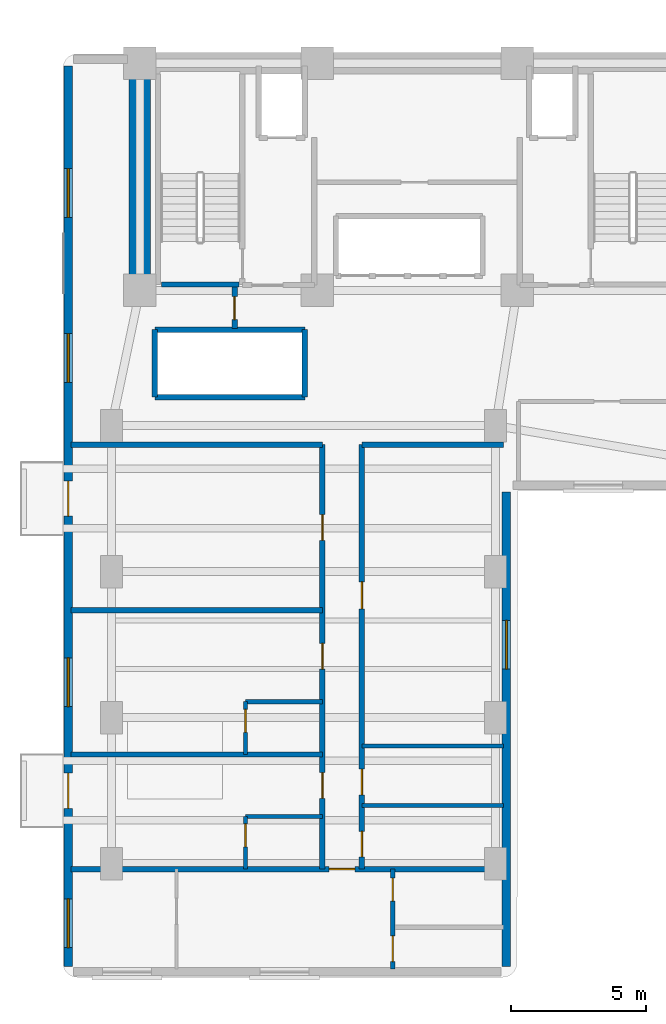
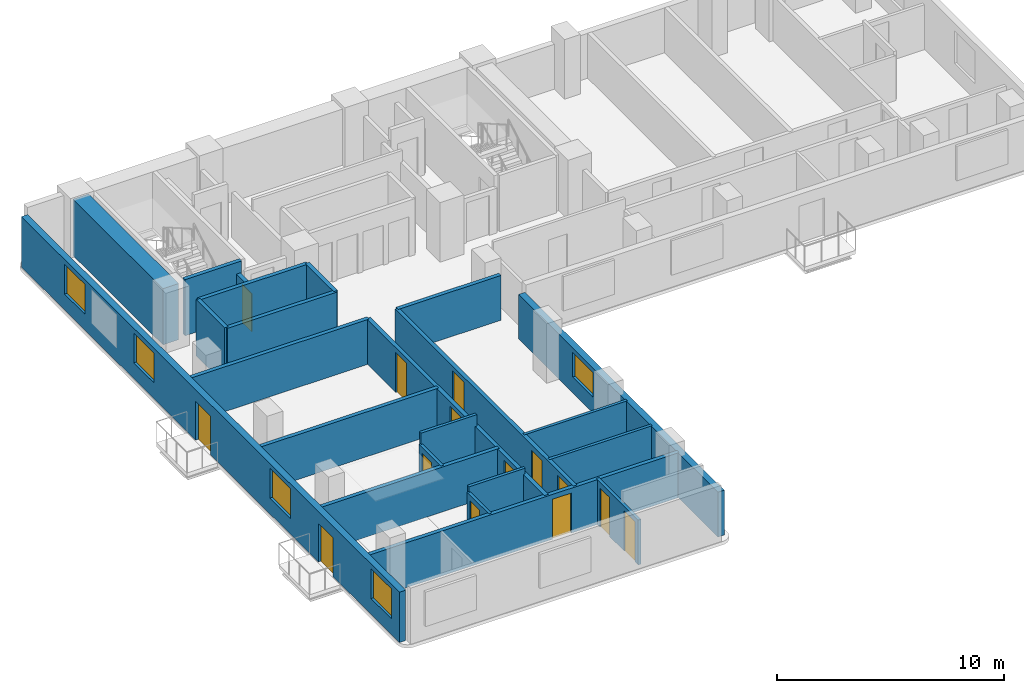
# One storey, part 3 of 9: 23 walls, 14 doors, 5 windows, 19 openings.
"""IFC4 building model written with IfcOpenShell, lengths in metres."""

from ifc_helpers import new_model, si_unit, direction, frame, frame_2d, origin, place, context, subcontext, project, spatial, rectangle, extrude, material, layer, layer_set, type_object, element, fill, save


model = new_model("IFC4")

# Units and contexts
model_context = context("Model", 3, precision=1e-05, world=origin(), true_north=direction((0.0, 1.0)))
body_context = subcontext(model_context, "Body", "Model", "MODEL_VIEW")
ifc_project = project(units=[si_unit("LENGTHUNIT", "METRE"), si_unit("AREAUNIT", "SQUARE_METRE"), si_unit("VOLUMEUNIT", "CUBIC_METRE"), si_unit("PLANEANGLEUNIT", "RADIAN"), si_unit("MASSUNIT", "GRAM", prefix="KILO")], contexts=[model_context])

# Site, building, storey
site_placement = place(None, origin())
site = spatial("IfcSite", under=ifc_project, at=site_placement, CompositionType="ELEMENT")
building_placement = place(site_placement, origin())
building = spatial("IfcBuilding", under=site, at=building_placement, Name="Kuzgunbayir Cultural Tower", CompositionType="ELEMENT")
storey_placement = place(building_placement, frame((0.0, 0.0, 96.199951171875)))
storey = spatial("IfcBuildingStorey", under=building, at=storey_placement, Name="L27", CompositionType="ELEMENT", Elevation=96.199951171875)

# Wall
ifc_material_1 = material(Name="Concrete C60/75", Category="concrete")
ifc_layer_1 = layer(ifc_material_1, 0.800048828125)
ifc_layer_set_1 = layer_set([ifc_layer_1], Name="Concrete C60/75")
wall_type_1 = type_object("IfcWallType", Name="WAL-CORE-800", PredefinedType="SHEAR", material=ifc_layer_set_1)
wall_1_placement = place(storey_placement, frame((6.449951171875, 33.800048828125, 0.0), z_axis=(0.0, 0.0, 1.0), x_axis=(0.0, 1.0, 0.0)))
element("IfcWall", 1, at=wall_1_placement, inside=storey, type_object=wall_type_1, Name="L27 T1 Core West Shear Wall", PredefinedType="SHEAR", context=body_context, shape_type="SweptSolid", body=[
    extrude(rectangle(XDim=7.949951171875, YDim=0.800048828125, at=frame_2d((3.97509765625, 0.0))), origin(), (0.0, 0.0, 1.0), 3.02001953125),
])

# Wall, openings, doors, windows
ifc_material_2 = material(Name="Travertine Buff Ashlar", Category="masonry")
ifc_layer_2 = layer(ifc_material_2, 0.320068359375)
ifc_layer_set_2 = layer_set([ifc_layer_2], Name="Travertine Buff Ashlar")
wall_type_2 = type_object("IfcWallType", Name="WAL-EXT-STONE-320", PredefinedType="STANDARD", material=ifc_layer_set_2)
wall_2_placement = place(storey_placement, frame((3.800048828125, 42.10009765625, 0.0), z_axis=(0.0, 0.0, 1.0), x_axis=(0.0, -1.0, 0.0)))
wall_2 = element("IfcWall", 2, at=wall_2_placement, inside=storey, type_object=wall_type_2, Name="L27 Wing A West Limestone Wall", PredefinedType="STANDARD", context=body_context, shape_type="SweptSolid", body=[
    extrude(rectangle(XDim=33.300048828125, YDim=0.320068359375, at=frame_2d((16.64990234375, 0.0))), origin(), (0.0, 0.0, 1.0), 2.7099609375),
])
opening_1_placement = place(wall_2_placement, frame((26.14990234375, 0.0, 0.0)))
opening_1 = element("IfcOpeningElement", 3, at=opening_1_placement, cuts=wall_2, Name="Opening BD-13", PredefinedType="OPENING", context=body_context, shape_type="SweptSolid", body=[
    extrude(rectangle(XDim=1.300048828125, YDim=2.080078125, at=frame_2d((0.64990234375, 1.0400390625))), frame((0.0, 0.169921875, 0.0), z_axis=(0.0, -1.0, 0.0), x_axis=(1.0, 0.0, 0.0)), (0.0, 0.0, 1.0), 0.340087890625),
])
opening_2_placement = place(wall_2_placement, frame((15.35009765625, 0.0, 0.0)))
opening_2 = element("IfcOpeningElement", 4, at=opening_2_placement, cuts=wall_2, Name="Opening BD-13", PredefinedType="OPENING", context=body_context, shape_type="SweptSolid", body=[
    extrude(rectangle(XDim=1.300048828125, YDim=2.080078125, at=frame_2d((0.64990234375, 1.0400390625))), frame((0.0, 0.169921875, 0.0), z_axis=(0.0, -1.0, 0.0), x_axis=(1.0, 0.0, 0.0)), (0.0, 0.0, 1.0), 0.340087890625),
])
opening_3_placement = place(wall_2_placement, frame((21.889892578125, 0.0, 0.85009765625)))
opening_3 = element("IfcOpeningElement", 5, at=opening_3_placement, cuts=wall_2, Name="Opening WH-18", PredefinedType="OPENING", context=body_context, shape_type="SweptSolid", body=[
    extrude(rectangle(XDim=1.800048828125, YDim=1.610107421875, at=frame_2d((0.89990234375, 0.80517578125))), frame((0.0, 0.169921875, 0.0), z_axis=(0.0, -1.0, 0.0), x_axis=(1.0, 0.0, 0.0)), (0.0, 0.0, 1.0), 0.340087890625),
])
opening_4_placement = place(wall_2_placement, frame((30.800048828125, 0.0, 0.85009765625)))
opening_4 = element("IfcOpeningElement", 6, at=opening_4_placement, cuts=wall_2, Name="Opening WH-18", PredefinedType="OPENING", context=body_context, shape_type="SweptSolid", body=[
    extrude(rectangle(XDim=1.800048828125, YDim=1.610107421875, at=frame_2d((0.89990234375, 0.80517578125))), frame((0.0, 0.169921875, 0.0), z_axis=(0.0, -1.0, 0.0), x_axis=(1.0, 0.0, 0.0)), (0.0, 0.0, 1.0), 0.340087890625),
])
opening_5_placement = place(wall_2_placement, frame((9.89990234375, 0.0, 0.85009765625)))
opening_5 = element("IfcOpeningElement", 7, at=opening_5_placement, cuts=wall_2, Name="Opening WH-18", PredefinedType="OPENING", context=body_context, shape_type="SweptSolid", body=[
    extrude(rectangle(XDim=1.800048828125, YDim=1.610107421875, at=frame_2d((0.89990234375, 0.80517578125))), frame((0.0, 0.169921875, 0.0), z_axis=(0.0, -1.0, 0.0), x_axis=(1.0, 0.0, 0.0)), (0.0, 0.0, 1.0), 0.340087890625),
])
opening_6_placement = place(wall_2_placement, frame((3.800048828125, 0.0, 0.85009765625)))
opening_6 = element("IfcOpeningElement", 8, at=opening_6_placement, cuts=wall_2, Name="Opening WH-18", PredefinedType="OPENING", context=body_context, shape_type="SweptSolid", body=[
    extrude(rectangle(XDim=1.800048828125, YDim=1.610107421875, at=frame_2d((0.89990234375, 0.80517578125))), frame((0.0, 0.169921875, 0.0), z_axis=(0.0, -1.0, 0.0), x_axis=(1.0, 0.0, 0.0)), (0.0, 0.0, 1.0), 0.340087890625),
])
ifc_material_3 = material(Name="Thermally Broken Glazed Aluminium", Category="aluminium")
door_type_1 = type_object("IfcDoorType", Name="DR-BALCONY-135", OperationType="SLIDING_TO_LEFT", PredefinedType="DOOR", material=ifc_material_3)
door_1_placement = place(opening_1_placement, origin())
door_1 = element("IfcDoor", 9, at=door_1_placement, inside=storey, type_object=door_type_1, Name="L27 West Balcony Sliding Door BAL-L27-WA1", OperationType="SLIDING_TO_LEFT", OverallHeight=2.080078125, OverallWidth=1.300048828125, PredefinedType="DOOR", context=body_context, shape_type="SweptSolid", body=[
    extrude(rectangle(XDim=1.300048828125, YDim=2.080078125, at=frame_2d((0.64990234375, 1.0400390625))), frame((0.0, 0.02490234375, 0.0), z_axis=(0.0, -1.0, 0.0), x_axis=(1.0, 0.0, 0.0)), (0.0, 0.0, 1.0), 0.050048828125),
])
fill(opening_1, door_1)
door_2_placement = place(opening_2_placement, origin())
door_2 = element("IfcDoor", 10, at=door_2_placement, inside=storey, type_object=door_type_1, Name="L27 West Balcony Sliding Door BAL-L27-WA3", OperationType="SLIDING_TO_LEFT", OverallHeight=2.080078125, OverallWidth=1.300048828125, PredefinedType="DOOR", context=body_context, shape_type="SweptSolid", body=[
    extrude(rectangle(XDim=1.300048828125, YDim=2.080078125, at=frame_2d((0.64990234375, 1.0400390625))), frame((0.0, 0.02490234375, 0.0), z_axis=(0.0, -1.0, 0.0), x_axis=(1.0, 0.0, 0.0)), (0.0, 0.0, 1.0), 0.050048828125),
])
fill(opening_2, door_2)
ifc_material_4 = material(Name="Solar-Control Triple Glazing", Category="glass")
window_type = type_object("IfcWindowType", Name="WIN-HOTEL-18", PartitioningType="SINGLE_PANEL", PredefinedType="WINDOW", material=ifc_material_4)
window_1_placement = place(opening_3_placement, origin())
window_1 = element("IfcWindow", 11, at=window_1_placement, inside=storey, type_object=window_type, Name="L27 WAW Facade Window 1", OverallHeight=1.610107421875, OverallWidth=1.800048828125, PartitioningType="SINGLE_PANEL", PredefinedType="WINDOW", context=body_context, shape_type="SweptSolid", body=[
    extrude(rectangle(XDim=1.800048828125, YDim=1.610107421875, at=frame_2d((0.89990234375, 0.80517578125))), frame((0.0, 0.030029296875, 0.0), z_axis=(0.0, -1.0, 0.0), x_axis=(1.0, 0.0, 0.0)), (0.0, 0.0, 1.0), 0.06005859375),
])
fill(opening_3, window_1)
window_2_placement = place(opening_4_placement, origin())
window_2 = element("IfcWindow", 12, at=window_2_placement, inside=storey, type_object=window_type, Name="L27 WAW Facade Window 6", OverallHeight=1.610107421875, OverallWidth=1.800048828125, PartitioningType="SINGLE_PANEL", PredefinedType="WINDOW", context=body_context, shape_type="SweptSolid", body=[
    extrude(rectangle(XDim=1.800048828125, YDim=1.610107421875, at=frame_2d((0.89990234375, 0.80517578125))), frame((0.0, 0.030029296875, 0.0), z_axis=(0.0, -1.0, 0.0), x_axis=(1.0, 0.0, 0.0)), (0.0, 0.0, 1.0), 0.06005859375),
])
fill(opening_4, window_2)
window_3_placement = place(opening_5_placement, origin())
window_3 = element("IfcWindow", 13, at=window_3_placement, inside=storey, type_object=window_type, Name="L27 WAW Facade Window 7", OverallHeight=1.610107421875, OverallWidth=1.800048828125, PartitioningType="SINGLE_PANEL", PredefinedType="WINDOW", context=body_context, shape_type="SweptSolid", body=[
    extrude(rectangle(XDim=1.800048828125, YDim=1.610107421875, at=frame_2d((0.89990234375, 0.80517578125))), frame((0.0, 0.030029296875, 0.0), z_axis=(0.0, -1.0, 0.0), x_axis=(1.0, 0.0, 0.0)), (0.0, 0.0, 1.0), 0.06005859375),
])
fill(opening_5, window_3)
window_4_placement = place(opening_6_placement, origin())
window_4 = element("IfcWindow", 14, at=window_4_placement, inside=storey, type_object=window_type, Name="L27 WAW Facade Window 8", OverallHeight=1.610107421875, OverallWidth=1.800048828125, PartitioningType="SINGLE_PANEL", PredefinedType="WINDOW", context=body_context, shape_type="SweptSolid", body=[
    extrude(rectangle(XDim=1.800048828125, YDim=1.610107421875, at=frame_2d((0.89990234375, 0.80517578125))), frame((0.0, 0.030029296875, 0.0), z_axis=(0.0, -1.0, 0.0), x_axis=(1.0, 0.0, 0.0)), (0.0, 0.0, 1.0), 0.06005859375),
])
fill(opening_6, window_4)

# Wall, opening, window
wall_3_placement = place(storey_placement, frame((20.0, 8.800048828125, 0.0), z_axis=(0.0, 0.0, 1.0), x_axis=(0.0, 1.0, 0.0)))
wall_3 = element("IfcWall", 15, at=wall_3_placement, inside=storey, type_object=wall_type_2, Name="L27 Wing A East Limestone Wall", PredefinedType="STANDARD", context=body_context, shape_type="SweptSolid", body=[
    extrude(rectangle(XDim=17.550048828125, YDim=0.320068359375, at=frame_2d((8.77490234375, 0.0))), origin(), (0.0, 0.0, 1.0), 2.41015625),
])
opening_7_placement = place(wall_3_placement, frame((11.0, 0.0, 0.85009765625)))
opening_7 = element("IfcOpeningElement", 16, at=opening_7_placement, cuts=wall_3, Name="Opening WH-18", PredefinedType="OPENING", context=body_context, shape_type="SweptSolid", body=[
    extrude(rectangle(XDim=1.800048828125, YDim=1.31005859375, at=frame_2d((0.89990234375, 0.655029296875))), frame((0.0, 0.169921875, 0.0), z_axis=(0.0, -1.0, 0.0), x_axis=(1.0, 0.0, 0.0)), (0.0, 0.0, 1.0), 0.340087890625),
])
window_5_placement = place(opening_7_placement, origin())
window_5 = element("IfcWindow", 17, at=window_5_placement, inside=storey, type_object=window_type, Name="L27 WAE Facade Window 9", OverallHeight=1.31005859375, OverallWidth=1.800048828125, PartitioningType="SINGLE_PANEL", PredefinedType="WINDOW", context=body_context, shape_type="SweptSolid", body=[
    extrude(rectangle(XDim=1.800048828125, YDim=1.31005859375, at=frame_2d((0.89990234375, 0.655029296875))), frame((0.0, 0.030029296875, 0.0), z_axis=(0.0, -1.0, 0.0), x_axis=(1.0, 0.0, 0.0)), (0.0, 0.0, 1.0), 0.06005859375),
])
fill(opening_7, window_5)

# Wall
ifc_material_5 = material(Name="Acoustic Double-Stud Drywall", Category="gypsum")
ifc_layer_3 = layer(ifc_material_5, 0.14990234375)
ifc_layer_set_3 = layer_set([ifc_layer_3], Name="Acoustic Double-Stud Drywall")
wall_type_3 = type_object("IfcWallType", Name="WAL-PART-ACOUSTIC-150", PredefinedType="PARTITIONING", material=ifc_layer_set_3)
wall_4_placement = place(storey_placement, frame((14.659912109375, 14.75, 0.0), z_axis=(0.0, 0.0, 1.0), x_axis=(1.0, 0.0, 0.0)))
element("IfcWall", 18, at=wall_4_placement, inside=storey, type_object=wall_type_3, Name="L27 Housekeeping North Wall", PredefinedType="PARTITIONING", context=body_context, shape_type="SweptSolid", body=[
    extrude(rectangle(XDim=5.239990234375, YDim=0.14990234375, at=frame_2d((2.6201171875, 0.0))), origin(), (0.0, 0.0, 1.0), 2.41015625),
])

# Wall, opening, door
ifc_material_6 = material(Name="Aerated Concrete Blockwork", Category="masonry")
ifc_layer_4 = layer(ifc_material_6, 0.199951171875)
ifc_layer_set_4 = layer_set([ifc_layer_4], Name="Aerated Concrete Blockwork")
wall_type_4 = type_object("IfcWallType", Name="WAL-PART-FIRE-200", PredefinedType="PARTITIONING", material=ifc_layer_set_4)
wall_5_placement = place(storey_placement, frame((9.949951171875, 32.39990234375, 0.0), z_axis=(0.0, 0.0, 1.0), x_axis=(0.0, 1.0, 0.0)))
wall_5 = element("IfcWall", 19, at=wall_5_placement, inside=storey, type_object=wall_type_4, Name="L27 West Core Service Closet Wall", PredefinedType="PARTITIONING", context=body_context, shape_type="SweptSolid", body=[
    extrude(rectangle(XDim=1.52001953125, YDim=0.199951171875, at=frame_2d((0.760009765625, 0.0))), origin(), (0.0, 0.0, 1.0), 2.41015625),
])
opening_8_placement = place(wall_5_placement, frame((0.320068359375, 0.0, 0.0)))
opening_8 = element("IfcOpeningElement", 20, at=opening_8_placement, cuts=wall_5, Name="Opening DR-RSR-60", PredefinedType="OPENING", context=body_context, shape_type="SweptSolid", body=[
    extrude(rectangle(XDim=0.85009765625, YDim=2.050048828125, at=frame_2d((0.425048828125, 1.02490234375))), frame((0.0, 0.10986328125, 0.0), z_axis=(0.0, -1.0, 0.0), x_axis=(1.0, 0.0, 0.0)), (0.0, 0.0, 1.0), 0.219970703125),
])
ifc_material_7 = material(Name="Steel Access Leaf", Category="steel")
door_type_2 = type_object("IfcDoorType", Name="DR-RISER-60", OperationType="NOTDEFINED", PredefinedType="DOOR", material=ifc_material_7)
door_3_placement = place(opening_8_placement, origin())
door_3 = element("IfcDoor", 21, at=door_3_placement, inside=storey, type_object=door_type_2, Name="L27 Cleaner Utility Store Door", OperationType="SINGLE_SWING_RIGHT", OverallHeight=2.050048828125, OverallWidth=0.85009765625, PredefinedType="DOOR", context=body_context, shape_type="SweptSolid", body=[
    extrude(rectangle(XDim=0.85009765625, YDim=2.050048828125, at=frame_2d((0.425048828125, 1.02490234375))), frame((0.0, 0.02490234375, 0.0), z_axis=(0.0, -1.0, 0.0), x_axis=(1.0, 0.0, 0.0)), (0.0, 0.0, 1.0), 0.050048828125),
])
fill(opening_8, door_3)

# Wall, openings, doors
wall_6_placement = place(storey_placement, frame((13.199951171875, 12.39990234375, 0.0), z_axis=(0.0, 0.0, 1.0), x_axis=(0.0, 1.0, 0.0)))
wall_6 = element("IfcWall", 22, at=wall_6_placement, inside=storey, type_object=wall_type_4, Name="L27 Wing A West Corridor Wall", PredefinedType="PARTITIONING", context=body_context, shape_type="SweptSolid", body=[
    extrude(rectangle(XDim=15.7001953125, YDim=0.199951171875, at=frame_2d((7.85009765625, 0.0))), origin(), (0.0, 0.0, 1.0), 2.41015625),
])
opening_9_placement = place(wall_6_placement, frame((2.6201171875, 0.0, 0.0)))
opening_9 = element("IfcOpeningElement", 23, at=opening_9_placement, cuts=wall_6, Name="Opening DR-APT-60", PredefinedType="OPENING", context=body_context, shape_type="SweptSolid", body=[
    extrude(rectangle(XDim=0.949951171875, YDim=2.14990234375, at=frame_2d((0.47509765625, 1.074951171875))), frame((0.0, 0.10986328125, 0.0), z_axis=(0.0, -1.0, 0.0), x_axis=(1.0, 0.0, 0.0)), (0.0, 0.0, 1.0), 0.219970703125),
])
opening_10_placement = place(wall_6_placement, frame((7.39990234375, 0.0, 0.0)))
opening_10 = element("IfcOpeningElement", 24, at=opening_10_placement, cuts=wall_6, Name="Opening DR-APT-60", PredefinedType="OPENING", context=body_context, shape_type="SweptSolid", body=[
    extrude(rectangle(XDim=0.949951171875, YDim=2.14990234375, at=frame_2d((0.47509765625, 1.074951171875))), frame((0.0, 0.10986328125, 0.0), z_axis=(0.0, -1.0, 0.0), x_axis=(1.0, 0.0, 0.0)), (0.0, 0.0, 1.0), 0.219970703125),
])
opening_11_placement = place(wall_6_placement, frame((12.159912109375, 0.0, 0.0)))
opening_11 = element("IfcOpeningElement", 25, at=opening_11_placement, cuts=wall_6, Name="Opening DI-90", PredefinedType="OPENING", context=body_context, shape_type="SweptSolid", body=[
    extrude(rectangle(XDim=0.949951171875, YDim=2.14990234375, at=frame_2d((0.47509765625, 1.074951171875))), frame((0.0, 0.10986328125, 0.0), z_axis=(0.0, -1.0, 0.0), x_axis=(1.0, 0.0, 0.0)), (0.0, 0.0, 1.0), 0.219970703125),
])
ifc_material_8 = material(Name="Acoustic Fire Timber Leaf", Category="wood")
door_type_3 = type_object("IfcDoorType", Name="DR-APT-60", OperationType="NOTDEFINED", PredefinedType="DOOR", material=ifc_material_8)
door_4_placement = place(opening_9_placement, origin())
door_4 = element("IfcDoor", 26, at=door_4_placement, inside=storey, type_object=door_type_3, Name="L27 Guest Suite W1 Entrance", OperationType="SINGLE_SWING_RIGHT", OverallHeight=2.14990234375, OverallWidth=0.949951171875, PredefinedType="DOOR", context=body_context, shape_type="SweptSolid", body=[
    extrude(rectangle(XDim=0.949951171875, YDim=2.14990234375, at=frame_2d((0.47509765625, 1.074951171875))), frame((0.0, 0.02490234375, 0.0), z_axis=(0.0, -1.0, 0.0), x_axis=(1.0, 0.0, 0.0)), (0.0, 0.0, 1.0), 0.050048828125),
])
fill(opening_9, door_4)
door_5_placement = place(opening_10_placement, origin())
door_5 = element("IfcDoor", 27, at=door_5_placement, inside=storey, type_object=door_type_3, Name="L27 Guest Suite W2 Entrance", OperationType="SINGLE_SWING_RIGHT", OverallHeight=2.14990234375, OverallWidth=0.949951171875, PredefinedType="DOOR", context=body_context, shape_type="SweptSolid", body=[
    extrude(rectangle(XDim=0.949951171875, YDim=2.14990234375, at=frame_2d((0.47509765625, 1.074951171875))), frame((0.0, 0.02490234375, 0.0), z_axis=(0.0, -1.0, 0.0), x_axis=(1.0, 0.0, 0.0)), (0.0, 0.0, 1.0), 0.050048828125),
])
fill(opening_10, door_5)
ifc_material_9 = material(Name="Veneered Oak Single Leaf", Category="wood")
door_type_4 = type_object("IfcDoorType", Name="DR-INT-90", OperationType="NOTDEFINED", PredefinedType="DOOR", material=ifc_material_9)
door_6_placement = place(opening_11_placement, origin())
door_6 = element("IfcDoor", 28, at=door_6_placement, inside=storey, type_object=door_type_4, Name="L27 Art Publication Salon 3 Door", OperationType="SINGLE_SWING_LEFT", OverallHeight=2.14990234375, OverallWidth=0.949951171875, PredefinedType="DOOR", context=body_context, shape_type="SweptSolid", body=[
    extrude(rectangle(XDim=0.949951171875, YDim=2.14990234375, at=frame_2d((0.47509765625, 1.074951171875))), frame((0.0, 0.02490234375, 0.0), z_axis=(0.0, -1.0, 0.0), x_axis=(1.0, 0.0, 0.0)), (0.0, 0.0, 1.0), 0.050048828125),
])
fill(opening_11, door_6)

wall_7_placement = place(storey_placement, frame((14.659912109375, 12.39990234375, 0.0), z_axis=(0.0, 0.0, 1.0), x_axis=(0.0, 1.0, 0.0)))
wall_7 = element("IfcWall", 29, at=wall_7_placement, inside=storey, type_object=wall_type_4, Name="L27 Wing A East Corridor Wall", PredefinedType="PARTITIONING", context=body_context, shape_type="SweptSolid", body=[
    extrude(rectangle(XDim=15.7001953125, YDim=0.199951171875, at=frame_2d((7.85009765625, 0.0))), origin(), (0.0, 0.0, 1.0), 2.41015625),
])
opening_12_placement = place(wall_7_placement, frame((0.449951171875, 0.0, 0.0)))
opening_12 = element("IfcOpeningElement", 30, at=opening_12_placement, cuts=wall_7, Name="Opening DI-90", PredefinedType="OPENING", context=body_context, shape_type="SweptSolid", body=[
    extrude(rectangle(XDim=0.949951171875, YDim=2.14990234375, at=frame_2d((0.47509765625, 1.074951171875))), frame((0.0, 0.10986328125, 0.0), z_axis=(0.0, -1.0, 0.0), x_axis=(1.0, 0.0, 0.0)), (0.0, 0.0, 1.0), 0.219970703125),
])
opening_13_placement = place(wall_7_placement, frame((2.75, 0.0, 0.0)))
opening_13 = element("IfcOpeningElement", 31, at=opening_13_placement, cuts=wall_7, Name="Opening DW-95", PredefinedType="OPENING", context=body_context, shape_type="SweptSolid", body=[
    extrude(rectangle(XDim=0.949951171875, YDim=2.10009765625, at=frame_2d((0.47509765625, 1.050048828125))), frame((0.0, 0.10986328125, 0.0), z_axis=(0.0, -1.0, 0.0), x_axis=(1.0, 0.0, 0.0)), (0.0, 0.0, 1.0), 0.219970703125),
])
opening_14_placement = place(wall_7_placement, frame((9.6201171875, 0.0, 0.0)))
opening_14 = element("IfcOpeningElement", 32, at=opening_14_placement, cuts=wall_7, Name="Opening DI-100", PredefinedType="OPENING", context=body_context, shape_type="SweptSolid", body=[
    extrude(rectangle(XDim=1.0, YDim=2.14990234375, at=frame_2d((0.5, 1.074951171875))), frame((0.0, 0.10986328125, 0.0), z_axis=(0.0, -1.0, 0.0), x_axis=(1.0, 0.0, 0.0)), (0.0, 0.0, 1.0), 0.219970703125),
])
door_type_5 = type_object("IfcDoorType", Name="DR-INT-100", OperationType="NOTDEFINED", PredefinedType="DOOR", material=ifc_material_9)
door_7_placement = place(opening_14_placement, origin())
door_7 = element("IfcDoor", 33, at=door_7_placement, inside=storey, type_object=door_type_5, Name="L27 East Art Publication Salon Door", OperationType="SINGLE_SWING_RIGHT", OverallHeight=2.14990234375, OverallWidth=1.0, PredefinedType="DOOR", context=body_context, shape_type="SweptSolid", body=[
    extrude(rectangle(XDim=1.0, YDim=2.14990234375, at=frame_2d((0.5, 1.074951171875))), frame((0.0, 0.02490234375, 0.0), z_axis=(0.0, -1.0, 0.0), x_axis=(1.0, 0.0, 0.0)), (0.0, 0.0, 1.0), 0.050048828125),
])
fill(opening_14, door_7)
door_8_placement = place(opening_12_placement, origin())
door_8 = element("IfcDoor", 34, at=door_8_placement, inside=storey, type_object=door_type_4, Name="L27 Housekeeping Room Door", OperationType="SINGLE_SWING_RIGHT", OverallHeight=2.14990234375, OverallWidth=0.949951171875, PredefinedType="DOOR", context=body_context, shape_type="SweptSolid", body=[
    extrude(rectangle(XDim=0.949951171875, YDim=2.14990234375, at=frame_2d((0.47509765625, 1.074951171875))), frame((0.0, 0.02490234375, 0.0), z_axis=(0.0, -1.0, 0.0), x_axis=(1.0, 0.0, 0.0)), (0.0, 0.0, 1.0), 0.050048828125),
])
fill(opening_12, door_8)
ifc_material_10 = material(Name="Laminate Moisture-Resistant Leaf", Category="wood")
door_type_6 = type_object("IfcDoorType", Name="DR-WET-95", OperationType="NOTDEFINED", PredefinedType="DOOR", material=ifc_material_10)
door_9_placement = place(opening_13_placement, origin())
door_9 = element("IfcDoor", 35, at=door_9_placement, inside=storey, type_object=door_type_6, Name="L27 Accessible WC Door", OperationType="SINGLE_SWING_LEFT", OverallHeight=2.10009765625, OverallWidth=0.949951171875, PredefinedType="DOOR", context=body_context, shape_type="SweptSolid", body=[
    extrude(rectangle(XDim=0.949951171875, YDim=2.10009765625, at=frame_2d((0.47509765625, 1.050048828125))), frame((0.0, 0.02490234375, 0.0), z_axis=(0.0, -1.0, 0.0), x_axis=(1.0, 0.0, 0.0)), (0.0, 0.0, 1.0), 0.050048828125),
])
fill(opening_13, door_9)

# Wall, opening, door
wall_8_placement = place(storey_placement, frame((3.89990234375, 12.39990234375, 0.0), z_axis=(0.0, 0.0, 1.0), x_axis=(1.0, 0.0, 0.0)))
wall_8 = element("IfcWall", 36, at=wall_8_placement, inside=storey, type_object=wall_type_4, Name="L27 South Cross Partition", PredefinedType="PARTITIONING", context=body_context, shape_type="SweptSolid", body=[
    extrude(rectangle(XDim=16.0, YDim=0.199951171875, at=frame_2d((8.0, 0.0))), origin(), (0.0, 0.0, 1.0), 2.41015625),
])
opening_15_placement = place(wall_8_placement, frame((9.550048828125, 0.0, 0.0)))
opening_15 = element("IfcOpeningElement", 37, at=opening_15_placement, cuts=wall_8, Name="Opening DR-APT-60", PredefinedType="OPENING", context=body_context, shape_type="SweptSolid", body=[
    extrude(rectangle(XDim=0.949951171875, YDim=2.14990234375, at=frame_2d((0.47509765625, 1.074951171875))), frame((0.0, 0.10986328125, 0.0), z_axis=(0.0, -1.0, 0.0), x_axis=(1.0, 0.0, 0.0)), (0.0, 0.0, 1.0), 0.219970703125),
])
door_10_placement = place(opening_15_placement, origin())
door_10 = element("IfcDoor", 38, at=door_10_placement, inside=storey, type_object=door_type_3, Name="L27 Diplomatic Suite Entrance", OperationType="SINGLE_SWING_RIGHT", OverallHeight=2.14990234375, OverallWidth=0.949951171875, PredefinedType="DOOR", context=body_context, shape_type="SweptSolid", body=[
    extrude(rectangle(XDim=0.949951171875, YDim=2.14990234375, at=frame_2d((0.47509765625, 1.074951171875))), frame((0.0, 0.02490234375, 0.0), z_axis=(0.0, -1.0, 0.0), x_axis=(1.0, 0.0, 0.0)), (0.0, 0.0, 1.0), 0.050048828125),
])
fill(opening_15, door_10)

# Walls
wall_9_placement = place(storey_placement, frame((3.89990234375, 28.10009765625, 0.0), z_axis=(0.0, 0.0, 1.0), x_axis=(1.0, 0.0, 0.0)))
element("IfcWall", 39, at=wall_9_placement, inside=storey, type_object=wall_type_4, Name="L27 North West Partition", PredefinedType="PARTITIONING", context=body_context, shape_type="SweptSolid", body=[
    extrude(rectangle(XDim=9.300048828125, YDim=0.199951171875, at=frame_2d((4.64990234375, 0.0))), origin(), (0.0, 0.0, 1.0), 2.41015625),
])
wall_10_placement = place(storey_placement, frame((14.659912109375, 28.10009765625, 0.0), z_axis=(0.0, 0.0, 1.0), x_axis=(1.0, 0.0, 0.0)))
element("IfcWall", 40, at=wall_10_placement, inside=storey, type_object=wall_type_4, Name="L27 North East Partition", PredefinedType="PARTITIONING", context=body_context, shape_type="SweptSolid", body=[
    extrude(rectangle(XDim=5.239990234375, YDim=0.199951171875, at=frame_2d((2.6201171875, 0.0))), origin(), (0.0, 0.0, 1.0), 2.41015625),
])
for number, where, z_axis, x_axis, name in (
    (41, (3.89990234375, 16.639892578125, 0.0), (0.0, 0.0, 1.0), (1.0, 0.0, 0.0), "L27 West Party Wall 1"),
    (42, (3.89990234375, 21.97998046875, 0.0), (0.0, 0.0, 1.0), (1.0, 0.0, 0.0), "L27 West Party Wall 2"),
):
    element("IfcWall", number, at=place(storey_placement, frame(where, z_axis=z_axis, x_axis=x_axis)), inside=storey, type_object=wall_type_4, Name=name, PredefinedType="PARTITIONING", context=body_context, shape_type="SweptSolid", body=[
        extrude(rectangle(XDim=9.300048828125, YDim=0.199951171875, at=frame_2d((4.64990234375, 0.0))), origin(), (0.0, 0.0, 1.0), 2.41015625),
    ])
ifc_material_11 = material(Name="Moisture-Resistant Tile Partition", Category="gypsum")
ifc_layer_5 = layer(ifc_material_11, 0.14990234375)
ifc_layer_set_5 = layer_set([ifc_layer_5], Name="Moisture-Resistant Tile Partition")
wall_type_5 = type_object("IfcWallType", Name="WAL-PART-WET-150", PredefinedType="PARTITIONING", material=ifc_layer_set_5)
wall_11_placement = place(storey_placement, frame((10.35009765625, 14.35009765625, 0.0), z_axis=(0.0, 0.0, 1.0), x_axis=(1.0, 0.0, 0.0)))
element("IfcWall", 43, at=wall_11_placement, inside=storey, type_object=wall_type_5, Name="L27 Suite W1 En-Suite North Wall", PredefinedType="PARTITIONING", context=body_context, shape_type="SweptSolid", body=[
    extrude(rectangle(XDim=2.849853515625, YDim=0.14990234375, at=frame_2d((1.4248046875, 0.0))), origin(), (0.0, 0.0, 1.0), 2.7099609375),
])

# Wall, opening, door
wall_12_placement = place(storey_placement, frame((10.35009765625, 12.39990234375, 0.0), z_axis=(0.0, 0.0, 1.0), x_axis=(0.0, 1.0, 0.0)))
wall_12 = element("IfcWall", 44, at=wall_12_placement, inside=storey, type_object=wall_type_5, Name="L27 Suite W1 En-Suite West Wall", PredefinedType="PARTITIONING", context=body_context, shape_type="SweptSolid", body=[
    extrude(rectangle(XDim=1.9501953125, YDim=0.14990234375, at=frame_2d((0.97509765625, 0.0))), origin(), (0.0, 0.0, 1.0), 2.41015625),
])
opening_16_placement = place(wall_12_placement, frame((0.820068359375, 0.0, 0.0)))
opening_16 = element("IfcOpeningElement", 45, at=opening_16_placement, cuts=wall_12, Name="Opening DW-85", PredefinedType="OPENING", context=body_context, shape_type="SweptSolid", body=[
    extrude(rectangle(XDim=0.85009765625, YDim=2.10009765625, at=frame_2d((0.425048828125, 1.050048828125))), frame((0.0, 0.0849609375, 0.0), z_axis=(0.0, -1.0, 0.0), x_axis=(1.0, 0.0, 0.0)), (0.0, 0.0, 1.0), 0.169921875),
])
door_type_7 = type_object("IfcDoorType", Name="DR-WET-85", OperationType="NOTDEFINED", PredefinedType="DOOR", material=ifc_material_10)
door_11_placement = place(opening_16_placement, origin())
door_11 = element("IfcDoor", 46, at=door_11_placement, inside=storey, type_object=door_type_7, Name="L27 Suite W1 En-Suite Door", OperationType="SINGLE_SWING_LEFT", OverallHeight=2.10009765625, OverallWidth=0.85009765625, PredefinedType="DOOR", context=body_context, shape_type="SweptSolid", body=[
    extrude(rectangle(XDim=0.85009765625, YDim=2.10009765625, at=frame_2d((0.425048828125, 1.050048828125))), frame((0.0, 0.02490234375, 0.0), z_axis=(0.0, -1.0, 0.0), x_axis=(1.0, 0.0, 0.0)), (0.0, 0.0, 1.0), 0.050048828125),
])
fill(opening_16, door_11)

# Wall
wall_13_placement = place(storey_placement, frame((10.35009765625, 18.590087890625, 0.0), z_axis=(0.0, 0.0, 1.0), x_axis=(1.0, 0.0, 0.0)))
element("IfcWall", 47, at=wall_13_placement, inside=storey, type_object=wall_type_5, Name="L27 Suite W2 En-Suite North Wall", PredefinedType="PARTITIONING", context=body_context, shape_type="SweptSolid", body=[
    extrude(rectangle(XDim=2.849853515625, YDim=0.14990234375, at=frame_2d((1.4248046875, 0.0))), origin(), (0.0, 0.0, 1.0), 3.02001953125),
])

# Wall, opening, door
wall_14_placement = place(storey_placement, frame((10.35009765625, 16.639892578125, 0.0), z_axis=(0.0, 0.0, 1.0), x_axis=(0.0, 1.0, 0.0)))
wall_14 = element("IfcWall", 48, at=wall_14_placement, inside=storey, type_object=wall_type_5, Name="L27 Suite W2 En-Suite West Wall", PredefinedType="PARTITIONING", context=body_context, shape_type="SweptSolid", body=[
    extrude(rectangle(XDim=1.9501953125, YDim=0.14990234375, at=frame_2d((0.97509765625, 0.0))), origin(), (0.0, 0.0, 1.0), 2.41015625),
])
opening_17_placement = place(wall_14_placement, frame((0.820068359375, 0.0, 0.0)))
opening_17 = element("IfcOpeningElement", 49, at=opening_17_placement, cuts=wall_14, Name="Opening DW-85", PredefinedType="OPENING", context=body_context, shape_type="SweptSolid", body=[
    extrude(rectangle(XDim=0.85009765625, YDim=2.10009765625, at=frame_2d((0.425048828125, 1.050048828125))), frame((0.0, 0.0849609375, 0.0), z_axis=(0.0, -1.0, 0.0), x_axis=(1.0, 0.0, 0.0)), (0.0, 0.0, 1.0), 0.169921875),
])
door_12_placement = place(opening_17_placement, origin())
door_12 = element("IfcDoor", 50, at=door_12_placement, inside=storey, type_object=door_type_7, Name="L27 Suite W2 En-Suite Door", OperationType="SINGLE_SWING_LEFT", OverallHeight=2.10009765625, OverallWidth=0.85009765625, PredefinedType="DOOR", context=body_context, shape_type="SweptSolid", body=[
    extrude(rectangle(XDim=0.85009765625, YDim=2.10009765625, at=frame_2d((0.425048828125, 1.050048828125))), frame((0.0, 0.02490234375, 0.0), z_axis=(0.0, -1.0, 0.0), x_axis=(1.0, 0.0, 0.0)), (0.0, 0.0, 1.0), 0.050048828125),
])
fill(opening_17, door_12)

# Wall, openings, doors
wall_15_placement = place(storey_placement, frame((15.800048828125, 8.699951171875, 0.0), z_axis=(0.0, 0.0, 1.0), x_axis=(0.0, 1.0, 0.0)))
wall_15 = element("IfcWall", 51, at=wall_15_placement, inside=storey, type_object=wall_type_5, Name="L27 Diplomatic Suite Service Wall", PredefinedType="PARTITIONING", context=body_context, shape_type="SweptSolid", body=[
    extrude(rectangle(XDim=3.699951171875, YDim=0.14990234375, at=frame_2d((1.85009765625, 0.0))), origin(), (0.0, 0.0, 1.0), 2.41015625),
])
opening_18_placement = place(wall_15_placement, frame((0.280029296875, 0.0, 0.0)))
opening_18 = element("IfcOpeningElement", 52, at=opening_18_placement, cuts=wall_15, Name="Opening DI-90", PredefinedType="OPENING", context=body_context, shape_type="SweptSolid", body=[
    extrude(rectangle(XDim=0.949951171875, YDim=2.14990234375, at=frame_2d((0.47509765625, 1.074951171875))), frame((0.0, 0.0849609375, 0.0), z_axis=(0.0, -1.0, 0.0), x_axis=(1.0, 0.0, 0.0)), (0.0, 0.0, 1.0), 0.169921875),
])
opening_19_placement = place(wall_15_placement, frame((2.52001953125, 0.0, 0.0)))
opening_19 = element("IfcOpeningElement", 53, at=opening_19_placement, cuts=wall_15, Name="Opening DW-85", PredefinedType="OPENING", context=body_context, shape_type="SweptSolid", body=[
    extrude(rectangle(XDim=0.85009765625, YDim=2.10009765625, at=frame_2d((0.425048828125, 1.050048828125))), frame((0.0, 0.0849609375, 0.0), z_axis=(0.0, -1.0, 0.0), x_axis=(1.0, 0.0, 0.0)), (0.0, 0.0, 1.0), 0.169921875),
])
door_13_placement = place(opening_18_placement, origin())
door_13 = element("IfcDoor", 54, at=door_13_placement, inside=storey, type_object=door_type_4, Name="L27 Diplomatic Kitchen Door", OperationType="SINGLE_SWING_RIGHT", OverallHeight=2.14990234375, OverallWidth=0.949951171875, PredefinedType="DOOR", context=body_context, shape_type="SweptSolid", body=[
    extrude(rectangle(XDim=0.949951171875, YDim=2.14990234375, at=frame_2d((0.47509765625, 1.074951171875))), frame((0.0, 0.02490234375, 0.0), z_axis=(0.0, -1.0, 0.0), x_axis=(1.0, 0.0, 0.0)), (0.0, 0.0, 1.0), 0.050048828125),
])
fill(opening_18, door_13)
door_14_placement = place(opening_19_placement, origin())
door_14 = element("IfcDoor", 55, at=door_14_placement, inside=storey, type_object=door_type_7, Name="L27 Diplomatic Bathroom Door", OperationType="SINGLE_SWING_LEFT", OverallHeight=2.10009765625, OverallWidth=0.85009765625, PredefinedType="DOOR", context=body_context, shape_type="SweptSolid", body=[
    extrude(rectangle(XDim=0.85009765625, YDim=2.10009765625, at=frame_2d((0.425048828125, 1.050048828125))), frame((0.0, 0.02490234375, 0.0), z_axis=(0.0, -1.0, 0.0), x_axis=(1.0, 0.0, 0.0)), (0.0, 0.0, 1.0), 0.050048828125),
])
fill(opening_19, door_14)

# Walls
wall_16_placement = place(storey_placement, frame((14.659912109375, 16.949951171875, 0.0), z_axis=(0.0, 0.0, 1.0), x_axis=(1.0, 0.0, 0.0)))
element("IfcWall", 56, at=wall_16_placement, inside=storey, type_object=wall_type_5, Name="L27 Accessible WC North Wall", PredefinedType="PARTITIONING", context=body_context, shape_type="SweptSolid", body=[
    extrude(rectangle(XDim=5.239990234375, YDim=0.14990234375, at=frame_2d((2.6201171875, 0.0))), origin(), (0.0, 0.0, 1.0), 2.41015625),
])
ifc_material_12 = material(Name="Concrete C40/50", Category="concrete")
ifc_layer_6 = layer(ifc_material_12, 0.199951171875)
ifc_layer_set_6 = layer_set([ifc_layer_6], Name="Concrete C40/50")
wall_type_6 = type_object("IfcWallType", Name="WAL-SHAFT-200", PredefinedType="MOVABLE", material=ifc_layer_set_6)
for number, where, z_axis, x_axis, name in (
    (57, (7.0, 29.85009765625, 0.0), (0.0, 0.0, 1.0), (1.0, 0.0, 0.0), "L27 High-Rise Lift Shaft South Wall"),
    (58, (7.0, 32.35009765625, 0.0), (0.0, 0.0, 1.0), (1.0, 0.0, 0.0), "L27 High-Rise Lift Shaft North Wall"),
):
    element("IfcWall", number, at=place(storey_placement, frame(where, z_axis=z_axis, x_axis=x_axis)), inside=storey, type_object=wall_type_6, Name=name, PredefinedType="MOVABLE", context=body_context, shape_type="SweptSolid", body=[
        extrude(rectangle(XDim=5.550048828125, YDim=0.199951171875, at=frame_2d((2.77490234375, 0.0))), origin(), (0.0, 0.0, 1.0), 3.02001953125),
    ])
for number, where, z_axis, x_axis, name in (
    (59, (7.0, 29.85009765625, 0.0), (0.0, 0.0, 1.0), (0.0, 1.0, 0.0), "L27 High-Rise Lift Shaft West Wall"),
    (60, (12.550048828125, 29.85009765625, 0.0), (0.0, 0.0, 1.0), (0.0, 1.0, 0.0), "L27 High-Rise Lift Shaft East Wall"),
):
    element("IfcWall", number, at=place(storey_placement, frame(where, z_axis=z_axis, x_axis=x_axis)), inside=storey, type_object=wall_type_6, Name=name, PredefinedType="MOVABLE", context=body_context, shape_type="SweptSolid", body=[
        extrude(rectangle(XDim=2.5, YDim=0.199951171875, at=frame_2d((1.25, 0.0))), origin(), (0.0, 0.0, 1.0), 3.02001953125),
    ])
ifc_layer_7 = layer(ifc_material_12, 0.199951171875)
ifc_layer_set_7 = layer_set([ifc_layer_7], Name="Concrete C40/50")
wall_type_7 = type_object("IfcWallType", Name="WAL-STAIR-RC-200", PredefinedType="SHEAR", material=ifc_layer_set_7)
wall_17_placement = place(storey_placement, frame((7.239990234375, 34.02001953125, 0.0), z_axis=(0.0, 0.0, 1.0), x_axis=(1.0, 0.0, 0.0)))
element("IfcWall", 61, at=wall_17_placement, inside=storey, type_object=wall_type_7, Name="L27 Stair ST-1 South Structural Wall", PredefinedType="SHEAR", context=body_context, shape_type="SweptSolid", body=[
    extrude(rectangle(XDim=2.880126953125, YDim=0.199951171875, at=frame_2d((1.43994140625, 0.0))), origin(), (0.0, 0.0, 1.0), 3.02001953125),
])

save(model, "model.ifc")
